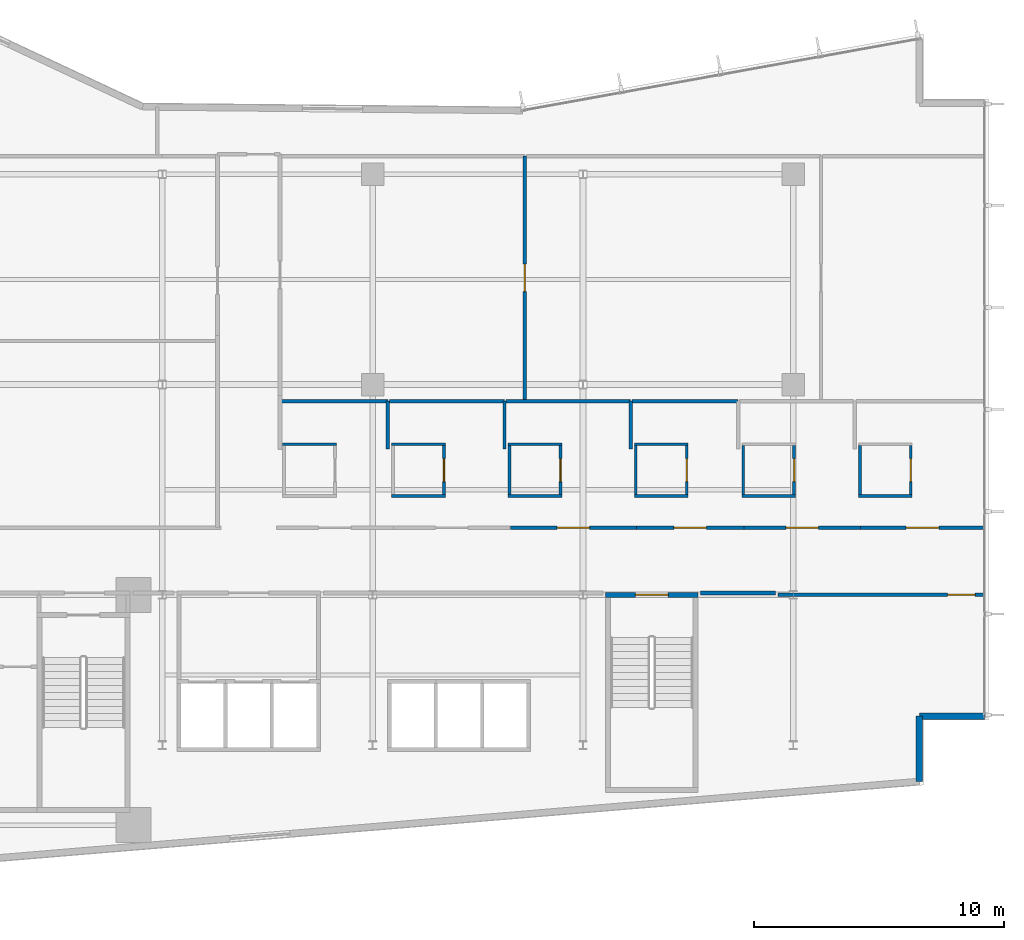
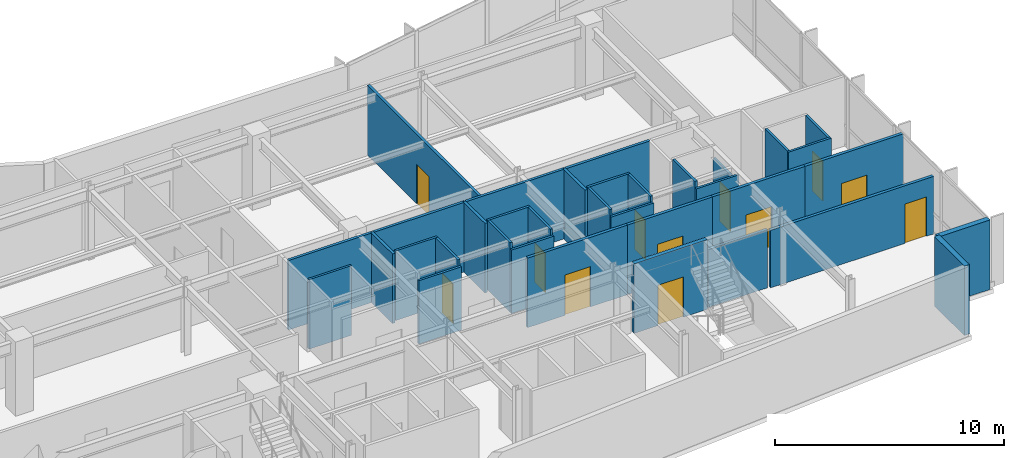
# One storey, part 14 of 20: 35 walls, 12 doors, 12 openings.
"""IFC4 building model written with IfcOpenShell, lengths in metres."""

from ifc_helpers import new_model, si_unit, direction, frame, frame_2d, origin, place, context, subcontext, project, spatial, rectangle, extrude, material, layer, layer_set, type_object, element, fill, save


model = new_model("IFC4")

# Units and contexts
model_context = context("Model", 3, precision=1e-05, world=origin(), true_north=direction((0.0, 1.0)))
body_context = subcontext(model_context, "Body", "Model", "MODEL_VIEW")
ifc_project = project(units=[si_unit("LENGTHUNIT", "METRE"), si_unit("AREAUNIT", "SQUARE_METRE"), si_unit("VOLUMEUNIT", "CUBIC_METRE"), si_unit("PLANEANGLEUNIT", "RADIAN"), si_unit("MASSUNIT", "GRAM", prefix="KILO")], contexts=[model_context])

# Site, building, storey
site_placement = place(None, origin())
site = spatial("IfcSite", under=ifc_project, at=site_placement, CompositionType="ELEMENT")
building_placement = place(site_placement, origin())
building = spatial("IfcBuilding", under=site, at=building_placement, Name="Varnakote Quay Hospital", CompositionType="ELEMENT")
storey_placement = place(building_placement, frame((0.0, 0.0, 81.75)))
storey = spatial("IfcBuildingStorey", under=building, at=storey_placement, Name="L20", CompositionType="ELEMENT", Elevation=81.75)

# Walls
ifc_material_1 = material(Name="Fire-rated acoustic gypsum stud wall", Category="gypsum")
ifc_layer_1 = layer(ifc_material_1, 0.159912109375)
ifc_layer_set_1 = layer_set([ifc_layer_1], Name="Fire-rated acoustic gypsum stud wall")
wall_type_1 = type_object("IfcWallType", Name="WL-COMP-160", PredefinedType="PARTITIONING", material=ifc_layer_set_1)
wall_1_placement = place(storey_placement, frame((46.689208984375, 12.080078125, 0.0), z_axis=(0.0, 0.0, 1.0), x_axis=(1.0, 0.0, 0.0)))
element("IfcWall", 1, at=wall_1_placement, inside=storey, type_object=wall_type_1, Name="L20 Corridor South Gap Wall", PredefinedType="PARTITIONING", context=body_context, shape_type="SweptSolid", body=[
    extrude(rectangle(XDim=3.0107421875, YDim=0.159912109375, at=frame_2d((1.50537109375, 0.0))), origin(), (0.0, 0.0, 1.0), 3.072998046875),
])
ifc_material_2 = material(Name="Moisture-resistant bathroom partition", Category="gypsum")
ifc_layer_2 = layer(ifc_material_2, 0.114990234375)
ifc_layer_set_2 = layer_set([ifc_layer_2], Name="Moisture-resistant bathroom partition")
wall_type_2 = type_object("IfcWallType", Name="WL-ENS-115", PredefinedType="PARTITIONING", material=ifc_layer_set_2)
wall_2_placement = place(storey_placement, frame((30.0048828125, 18.017578125, 0.0), z_axis=(0.0, 0.0, 1.0), x_axis=(1.0, 0.0, 0.0)))
element("IfcWall", 2, at=wall_2_placement, inside=storey, type_object=wall_type_2, Name="L20 Inpatient En-Suite Bathroom 01 N Wall", PredefinedType="PARTITIONING", context=body_context, shape_type="SweptSolid", body=[
    extrude(rectangle(XDim=2.150146484375, YDim=0.114990234375, at=frame_2d((1.0751953125, 0.0))), origin(), (0.0, 0.0, 1.0), 3.7099609375),
])
wall_3_placement = place(storey_placement, frame((34.35498046875, 15.952392578125, 0.0), z_axis=(0.0, 0.0, 1.0), x_axis=(1.0, 0.0, 0.0)))
element("IfcWall", 3, at=wall_3_placement, inside=storey, type_object=wall_type_2, Name="L20 Inpatient En-Suite Bathroom 02 S Wall", PredefinedType="PARTITIONING", context=body_context, shape_type="SweptSolid", body=[
    extrude(rectangle(XDim=2.14990234375, YDim=0.114990234375, at=frame_2d((1.074951171875, 0.0))), origin(), (0.0, 0.0, 1.0), 3.381103515625),
])
wall_4_placement = place(storey_placement, frame((34.35498046875, 18.017578125, 0.0), z_axis=(0.0, 0.0, 1.0), x_axis=(1.0, 0.0, 0.0)))
element("IfcWall", 4, at=wall_4_placement, inside=storey, type_object=wall_type_2, Name="L20 Inpatient En-Suite Bathroom 02 N Wall", PredefinedType="PARTITIONING", context=body_context, shape_type="SweptSolid", body=[
    extrude(rectangle(XDim=2.14990234375, YDim=0.114990234375, at=frame_2d((1.074951171875, 0.0))), origin(), (0.0, 0.0, 1.0), 3.7099609375),
])

# Wall, opening, door
wall_5_placement = place(storey_placement, frame((36.447509765625, 16.010009765625, 0.0), z_axis=(0.0, 0.0, 1.0), x_axis=(0.0, 1.0, 0.0)))
wall_5 = element("IfcWall", 5, at=wall_5_placement, inside=storey, type_object=wall_type_2, Name="L20 Inpatient En-Suite Bathroom 02 E Wall", PredefinedType="PARTITIONING", context=body_context, shape_type="SweptSolid", body=[
    extrude(rectangle(XDim=1.949951171875, YDim=0.114990234375, at=frame_2d((0.97509765625, 0.0))), origin(), (0.0, 0.0, 1.0), 3.7099609375),
])
opening_1_placement = place(wall_5_placement, frame((0.514892578125, 0.0, 0.0)))
opening_1 = element("IfcOpeningElement", 6, at=opening_1_placement, cuts=wall_5, Name="Opening D-L20-ENS02", PredefinedType="OPENING", context=body_context, shape_type="SweptSolid", body=[
    extrude(rectangle(XDim=0.919921875, YDim=2.10009765625, at=frame_2d((0.4599609375, 1.050048828125))), frame((0.0, 0.0673828125, 0.0), z_axis=(0.0, -1.0, 0.0), x_axis=(1.0, 0.0, 0.0)), (0.0, 0.0, 1.0), 0.135009765625),
])
ifc_material_3 = material(Name="Moisture-sealed en-suite bathroom door")
door_type_1 = type_object("IfcDoorType", Name="DR-ENS-920x2100", OperationType="NOTDEFINED", PredefinedType="DOOR", material=ifc_material_3)
door_1_placement = place(opening_1_placement, origin())
door_1 = element("IfcDoor", 7, at=door_1_placement, inside=storey, type_object=door_type_1, Name="L20 Inpatient En-Suite Bathroom 02 Door", OperationType="SINGLE_SWING_RIGHT", OverallHeight=2.10009765625, OverallWidth=0.919921875, PredefinedType="DOOR", context=body_context, shape_type="SweptSolid", body=[
    extrude(rectangle(XDim=0.919921875, YDim=2.10009765625, at=frame_2d((0.4599609375, 1.050048828125))), frame((0.0, 0.02490234375, 0.0), z_axis=(0.0, -1.0, 0.0), x_axis=(1.0, 0.0, 0.0)), (0.0, 0.0, 1.0), 0.050048828125),
])
fill(opening_1, door_1)

# Walls
wall_6_placement = place(storey_placement, frame((39.014892578125, 15.952392578125, 0.0), z_axis=(0.0, 0.0, 1.0), x_axis=(1.0, 0.0, 0.0)))
element("IfcWall", 8, at=wall_6_placement, inside=storey, type_object=wall_type_2, Name="L20 Inpatient En-Suite Bathroom 03 S Wall", PredefinedType="PARTITIONING", context=body_context, shape_type="SweptSolid", body=[
    extrude(rectangle(XDim=2.150146484375, YDim=0.114990234375, at=frame_2d((1.0751953125, 0.0))), origin(), (0.0, 0.0, 1.0), 3.381103515625),
])
wall_7_placement = place(storey_placement, frame((39.014892578125, 18.017578125, 0.0), z_axis=(0.0, 0.0, 1.0), x_axis=(1.0, 0.0, 0.0)))
element("IfcWall", 9, at=wall_7_placement, inside=storey, type_object=wall_type_2, Name="L20 Inpatient En-Suite Bathroom 03 N Wall", PredefinedType="PARTITIONING", context=body_context, shape_type="SweptSolid", body=[
    extrude(rectangle(XDim=2.150146484375, YDim=0.114990234375, at=frame_2d((1.0751953125, 0.0))), origin(), (0.0, 0.0, 1.0), 3.7099609375),
])
wall_8_placement = place(storey_placement, frame((39.072509765625, 16.010009765625, 0.0), z_axis=(0.0, 0.0, 1.0), x_axis=(0.0, 1.0, 0.0)))
element("IfcWall", 10, at=wall_8_placement, inside=storey, type_object=wall_type_2, Name="L20 Inpatient En-Suite Bathroom 03 W Wall", PredefinedType="PARTITIONING", context=body_context, shape_type="SweptSolid", body=[
    extrude(rectangle(XDim=1.949951171875, YDim=0.114990234375, at=frame_2d((0.97509765625, 0.0))), origin(), (0.0, 0.0, 1.0), 3.7099609375),
])

# Wall, opening, door
wall_9_placement = place(storey_placement, frame((41.107421875, 16.010009765625, 0.0), z_axis=(0.0, 0.0, 1.0), x_axis=(0.0, 1.0, 0.0)))
wall_9 = element("IfcWall", 11, at=wall_9_placement, inside=storey, type_object=wall_type_2, Name="L20 Inpatient En-Suite Bathroom 03 E Wall", PredefinedType="PARTITIONING", context=body_context, shape_type="SweptSolid", body=[
    extrude(rectangle(XDim=1.949951171875, YDim=0.114990234375, at=frame_2d((0.97509765625, 0.0))), origin(), (0.0, 0.0, 1.0), 3.7099609375),
])
opening_2_placement = place(wall_9_placement, frame((0.514892578125, 0.0, 0.0)))
opening_2 = element("IfcOpeningElement", 12, at=opening_2_placement, cuts=wall_9, Name="Opening D-L20-ENS03", PredefinedType="OPENING", context=body_context, shape_type="SweptSolid", body=[
    extrude(rectangle(XDim=0.919921875, YDim=2.10009765625, at=frame_2d((0.4599609375, 1.050048828125))), frame((0.0, 0.0673828125, 0.0), z_axis=(0.0, -1.0, 0.0), x_axis=(1.0, 0.0, 0.0)), (0.0, 0.0, 1.0), 0.135009765625),
])
door_2_placement = place(opening_2_placement, origin())
door_2 = element("IfcDoor", 13, at=door_2_placement, inside=storey, type_object=door_type_1, Name="L20 Inpatient En-Suite Bathroom 03 Door", OperationType="SINGLE_SWING_LEFT", OverallHeight=2.10009765625, OverallWidth=0.919921875, PredefinedType="DOOR", context=body_context, shape_type="SweptSolid", body=[
    extrude(rectangle(XDim=0.919921875, YDim=2.10009765625, at=frame_2d((0.4599609375, 1.050048828125))), frame((0.0, 0.02490234375, 0.0), z_axis=(0.0, -1.0, 0.0), x_axis=(1.0, 0.0, 0.0)), (0.0, 0.0, 1.0), 0.050048828125),
])
fill(opening_2, door_2)

# Walls
wall_10_placement = place(storey_placement, frame((44.054931640625, 15.952392578125, 0.0), z_axis=(0.0, 0.0, 1.0), x_axis=(1.0, 0.0, 0.0)))
element("IfcWall", 14, at=wall_10_placement, inside=storey, type_object=wall_type_2, Name="L20 Inpatient En-Suite Bathroom 04 S Wall", PredefinedType="PARTITIONING", context=body_context, shape_type="SweptSolid", body=[
    extrude(rectangle(XDim=2.150146484375, YDim=0.114990234375, at=frame_2d((1.0751953125, 0.0))), origin(), (0.0, 0.0, 1.0), 3.381103515625),
])
wall_11_placement = place(storey_placement, frame((44.054931640625, 18.017578125, 0.0), z_axis=(0.0, 0.0, 1.0), x_axis=(1.0, 0.0, 0.0)))
element("IfcWall", 15, at=wall_11_placement, inside=storey, type_object=wall_type_2, Name="L20 Inpatient En-Suite Bathroom 04 N Wall", PredefinedType="PARTITIONING", context=body_context, shape_type="SweptSolid", body=[
    extrude(rectangle(XDim=2.150146484375, YDim=0.114990234375, at=frame_2d((1.0751953125, 0.0))), origin(), (0.0, 0.0, 1.0), 3.7099609375),
])
wall_12_placement = place(storey_placement, frame((44.112548828125, 16.010009765625, 0.0), z_axis=(0.0, 0.0, 1.0), x_axis=(0.0, 1.0, 0.0)))
element("IfcWall", 16, at=wall_12_placement, inside=storey, type_object=wall_type_2, Name="L20 Inpatient En-Suite Bathroom 04 W Wall", PredefinedType="PARTITIONING", context=body_context, shape_type="SweptSolid", body=[
    extrude(rectangle(XDim=1.949951171875, YDim=0.114990234375, at=frame_2d((0.97509765625, 0.0))), origin(), (0.0, 0.0, 1.0), 3.7099609375),
])

# Wall, opening, door
wall_13_placement = place(storey_placement, frame((46.1474609375, 16.010009765625, 0.0), z_axis=(0.0, 0.0, 1.0), x_axis=(0.0, 1.0, 0.0)))
wall_13 = element("IfcWall", 17, at=wall_13_placement, inside=storey, type_object=wall_type_2, Name="L20 Inpatient En-Suite Bathroom 04 E Wall", PredefinedType="PARTITIONING", context=body_context, shape_type="SweptSolid", body=[
    extrude(rectangle(XDim=1.949951171875, YDim=0.114990234375, at=frame_2d((0.97509765625, 0.0))), origin(), (0.0, 0.0, 1.0), 3.7099609375),
])
opening_3_placement = place(wall_13_placement, frame((0.514892578125, 0.0, 0.0)))
opening_3 = element("IfcOpeningElement", 18, at=opening_3_placement, cuts=wall_13, Name="Opening D-L20-ENS04", PredefinedType="OPENING", context=body_context, shape_type="SweptSolid", body=[
    extrude(rectangle(XDim=0.919921875, YDim=2.10009765625, at=frame_2d((0.4599609375, 1.050048828125))), frame((0.0, 0.0673828125, 0.0), z_axis=(0.0, -1.0, 0.0), x_axis=(1.0, 0.0, 0.0)), (0.0, 0.0, 1.0), 0.135009765625),
])
door_3_placement = place(opening_3_placement, origin())
door_3 = element("IfcDoor", 19, at=door_3_placement, inside=storey, type_object=door_type_1, Name="L20 Inpatient En-Suite Bathroom 04 Door", OperationType="SINGLE_SWING_RIGHT", OverallHeight=2.10009765625, OverallWidth=0.919921875, PredefinedType="DOOR", context=body_context, shape_type="SweptSolid", body=[
    extrude(rectangle(XDim=0.919921875, YDim=2.10009765625, at=frame_2d((0.4599609375, 1.050048828125))), frame((0.0, 0.02490234375, 0.0), z_axis=(0.0, -1.0, 0.0), x_axis=(1.0, 0.0, 0.0)), (0.0, 0.0, 1.0), 0.050048828125),
])
fill(opening_3, door_3)

# Walls
wall_14_placement = place(storey_placement, frame((48.344970703125, 15.952392578125, 0.0), z_axis=(0.0, 0.0, 1.0), x_axis=(1.0, 0.0, 0.0)))
element("IfcWall", 20, at=wall_14_placement, inside=storey, type_object=wall_type_2, Name="L20 Inpatient En-Suite Bathroom 05 S Wall", PredefinedType="PARTITIONING", context=body_context, shape_type="SweptSolid", body=[
    extrude(rectangle(XDim=2.150146484375, YDim=0.114990234375, at=frame_2d((1.0751953125, 0.0))), origin(), (0.0, 0.0, 1.0), 3.381103515625),
])
wall_15_placement = place(storey_placement, frame((48.402587890625, 16.010009765625, 0.0), z_axis=(0.0, 0.0, 1.0), x_axis=(0.0, 1.0, 0.0)))
element("IfcWall", 21, at=wall_15_placement, inside=storey, type_object=wall_type_2, Name="L20 Inpatient En-Suite Bathroom 05 W Wall", PredefinedType="PARTITIONING", context=body_context, shape_type="SweptSolid", body=[
    extrude(rectangle(XDim=1.949951171875, YDim=0.114990234375, at=frame_2d((0.97509765625, 0.0))), origin(), (0.0, 0.0, 1.0), 3.7099609375),
])

# Wall, opening, door
wall_16_placement = place(storey_placement, frame((50.4375, 16.010009765625, 0.0), z_axis=(0.0, 0.0, 1.0), x_axis=(0.0, 1.0, 0.0)))
wall_16 = element("IfcWall", 22, at=wall_16_placement, inside=storey, type_object=wall_type_2, Name="L20 Inpatient En-Suite Bathroom 05 E Wall", PredefinedType="PARTITIONING", context=body_context, shape_type="SweptSolid", body=[
    extrude(rectangle(XDim=1.949951171875, YDim=0.114990234375, at=frame_2d((0.97509765625, 0.0))), origin(), (0.0, 0.0, 1.0), 3.072998046875),
])
opening_4_placement = place(wall_16_placement, frame((0.514892578125, 0.0, 0.0)))
opening_4 = element("IfcOpeningElement", 23, at=opening_4_placement, cuts=wall_16, Name="Opening D-L20-ENS05", PredefinedType="OPENING", context=body_context, shape_type="SweptSolid", body=[
    extrude(rectangle(XDim=0.919921875, YDim=2.10009765625, at=frame_2d((0.4599609375, 1.050048828125))), frame((0.0, 0.0673828125, 0.0), z_axis=(0.0, -1.0, 0.0), x_axis=(1.0, 0.0, 0.0)), (0.0, 0.0, 1.0), 0.135009765625),
])
door_4_placement = place(opening_4_placement, origin())
door_4 = element("IfcDoor", 24, at=door_4_placement, inside=storey, type_object=door_type_1, Name="L20 Inpatient En-Suite Bathroom 05 Door", OperationType="SINGLE_SWING_LEFT", OverallHeight=2.10009765625, OverallWidth=0.919921875, PredefinedType="DOOR", context=body_context, shape_type="SweptSolid", body=[
    extrude(rectangle(XDim=0.919921875, YDim=2.10009765625, at=frame_2d((0.4599609375, 1.050048828125))), frame((0.0, 0.02490234375, 0.0), z_axis=(0.0, -1.0, 0.0), x_axis=(1.0, 0.0, 0.0)), (0.0, 0.0, 1.0), 0.050048828125),
])
fill(opening_4, door_4)

# Walls
wall_17_placement = place(storey_placement, frame((53.0048828125, 15.952392578125, 0.0), z_axis=(0.0, 0.0, 1.0), x_axis=(1.0, 0.0, 0.0)))
element("IfcWall", 25, at=wall_17_placement, inside=storey, type_object=wall_type_2, Name="L20 Inpatient En-Suite Bathroom 06 S Wall", PredefinedType="PARTITIONING", context=body_context, shape_type="SweptSolid", body=[
    extrude(rectangle(XDim=2.150146484375, YDim=0.114990234375, at=frame_2d((1.0751953125, 0.0))), origin(), (0.0, 0.0, 1.0), 3.7099609375),
])
wall_18_placement = place(storey_placement, frame((53.0625, 16.010009765625, 0.0), z_axis=(0.0, 0.0, 1.0), x_axis=(0.0, 1.0, 0.0)))
element("IfcWall", 26, at=wall_18_placement, inside=storey, type_object=wall_type_2, Name="L20 Inpatient En-Suite Bathroom 06 W Wall", PredefinedType="PARTITIONING", context=body_context, shape_type="SweptSolid", body=[
    extrude(rectangle(XDim=1.949951171875, YDim=0.114990234375, at=frame_2d((0.97509765625, 0.0))), origin(), (0.0, 0.0, 1.0), 3.7099609375),
])

# Wall, opening, door
wall_19_placement = place(storey_placement, frame((55.097412109375, 16.010009765625, 0.0), z_axis=(0.0, 0.0, 1.0), x_axis=(0.0, 1.0, 0.0)))
wall_19 = element("IfcWall", 27, at=wall_19_placement, inside=storey, type_object=wall_type_2, Name="L20 Inpatient En-Suite Bathroom 06 E Wall", PredefinedType="PARTITIONING", context=body_context, shape_type="SweptSolid", body=[
    extrude(rectangle(XDim=1.949951171875, YDim=0.114990234375, at=frame_2d((0.97509765625, 0.0))), origin(), (0.0, 0.0, 1.0), 3.7099609375),
])
opening_5_placement = place(wall_19_placement, frame((0.514892578125, 0.0, 0.0)))
opening_5 = element("IfcOpeningElement", 28, at=opening_5_placement, cuts=wall_19, Name="Opening D-L20-ENS06", PredefinedType="OPENING", context=body_context, shape_type="SweptSolid", body=[
    extrude(rectangle(XDim=0.919921875, YDim=2.10009765625, at=frame_2d((0.4599609375, 1.050048828125))), frame((0.0, 0.0673828125, 0.0), z_axis=(0.0, -1.0, 0.0), x_axis=(1.0, 0.0, 0.0)), (0.0, 0.0, 1.0), 0.135009765625),
])
door_5_placement = place(opening_5_placement, origin())
door_5 = element("IfcDoor", 29, at=door_5_placement, inside=storey, type_object=door_type_1, Name="L20 Inpatient En-Suite Bathroom 06 Door", OperationType="SINGLE_SWING_RIGHT", OverallHeight=2.10009765625, OverallWidth=0.919921875, PredefinedType="DOOR", context=body_context, shape_type="SweptSolid", body=[
    extrude(rectangle(XDim=0.919921875, YDim=2.10009765625, at=frame_2d((0.4599609375, 1.050048828125))), frame((0.0, 0.02490234375, 0.0), z_axis=(0.0, -1.0, 0.0), x_axis=(1.0, 0.0, 0.0)), (0.0, 0.0, 1.0), 0.050048828125),
])
fill(opening_5, door_5)

# Walls
ifc_material_4 = material(Name="Precast concrete N50 (f'c 50 MPa)", Category="concrete")
ifc_layer_3 = layer(ifc_material_4, 0.260009765625)
ifc_layer_set_3 = layer_set([ifc_layer_3], Name="Precast concrete N50 (f'c 50 MPa)")
wall_type_3 = type_object("IfcWallType", Name="WL-EXT-BRICK-260", PredefinedType="STANDARD", material=ifc_layer_set_3)
wall_20_placement = place(storey_placement, frame((55.43994140625, 4.54736328125, 0.0), z_axis=(0.0, 0.0, 1.0), x_axis=(0.0, 1.0, 0.0)))
element("IfcWall", 30, at=wall_20_placement, inside=storey, type_object=wall_type_3, Name="L20 Brick-Faced Precast Exterior Wall", PredefinedType="STANDARD", context=body_context, shape_type="SweptSolid", body=[
    extrude(rectangle(XDim=2.612548828125, YDim=0.260009765625, at=frame_2d((1.30615234375, 0.0))), origin(), (0.0, 0.0, 1.0), 3.7099609375),
])
wall_21_placement = place(storey_placement, frame((55.43994140625, 7.159912109375, 0.0), z_axis=(0.0, 0.0, 1.0), x_axis=(1.0, 0.0, 0.0)))
element("IfcWall", 31, at=wall_21_placement, inside=storey, type_object=wall_type_3, Name="L20 Brick-Faced Precast Exterior Wall", PredefinedType="STANDARD", context=body_context, shape_type="SweptSolid", body=[
    extrude(rectangle(XDim=2.60009765625, YDim=0.260009765625, at=frame_2d((1.300048828125, 0.0))), origin(), (0.0, 0.0, 1.0), 3.7099609375),
])

# Wall, opening, door
ifc_material_5 = material(Name="Concrete N50 (f'c 50 MPa)", Category="concrete")
ifc_layer_4 = layer(ifc_material_5, 0.199951171875)
ifc_layer_set_4 = layer_set([ifc_layer_4], Name="Concrete N50 (f'c 50 MPa)")
wall_type_4 = type_object("IfcWallType", Name="WL-SHAFT-N50-200", PredefinedType="SHEAR", material=ifc_layer_set_4)
wall_22_placement = place(storey_placement, frame((42.89990234375, 12.0, 0.0), z_axis=(0.0, 0.0, 1.0), x_axis=(1.0, 0.0, 0.0)))
wall_22 = element("IfcWall", 32, at=wall_22_placement, inside=storey, type_object=wall_type_4, Name="L20 Stair ST3 Exit Wall", PredefinedType="SHEAR", context=body_context, shape_type="SweptSolid", body=[
    extrude(rectangle(XDim=3.7001953125, YDim=0.199951171875, at=frame_2d((1.85009765625, 0.0))), origin(), (0.0, 0.0, 1.0), 3.7099609375),
])
opening_6_placement = place(wall_22_placement, frame((1.199951171875, 0.0, 0.0)))
opening_6 = element("IfcOpeningElement", 33, at=opening_6_placement, cuts=wall_22, Name="Opening D-ST3-L20", PredefinedType="OPENING", context=body_context, shape_type="SweptSolid", body=[
    extrude(rectangle(XDim=1.300048828125, YDim=2.14990234375, at=frame_2d((0.64990234375, 1.074951171875))), frame((0.0, 0.10986328125, 0.0), z_axis=(0.0, -1.0, 0.0), x_axis=(1.0, 0.0, 0.0)), (0.0, 0.0, 1.0), 0.219970703125),
])
ifc_material_6 = material(Name="Fire-rated ceramic-glazed timber exit door", Category="wood")
door_type_2 = type_object("IfcDoorType", Name="DR-STAIR-FD60S-1300x2150", OperationType="NOTDEFINED", PredefinedType="DOOR", material=ifc_material_6)
door_6_placement = place(opening_6_placement, origin())
door_6 = element("IfcDoor", 34, at=door_6_placement, inside=storey, type_object=door_type_2, Name="L20 Stair ST3 Fire Exit Door", OperationType="SINGLE_SWING_RIGHT", OverallHeight=2.14990234375, OverallWidth=1.300048828125, PredefinedType="DOOR", context=body_context, shape_type="SweptSolid", body=[
    extrude(rectangle(XDim=1.300048828125, YDim=2.14990234375, at=frame_2d((0.64990234375, 1.074951171875))), frame((0.0, 0.02490234375, 0.0), z_axis=(0.0, -1.0, 0.0), x_axis=(1.0, 0.0, 0.0)), (0.0, 0.0, 1.0), 0.050048828125),
])
fill(opening_6, door_6)

# Walls
ifc_material_7 = material(Name="Smoke-proof clinical partition", Category="gypsum")
ifc_layer_5 = layer(ifc_material_7, 0.135009765625)
ifc_layer_set_5 = layer_set([ifc_layer_5], Name="Smoke-proof clinical partition")
wall_type_5 = type_object("IfcWallType", Name="WL-SMOKE-135", PredefinedType="PARTITIONING", material=ifc_layer_set_5)
wall_23_placement = place(storey_placement, frame((34.2099609375, 17.83251953125, 0.0), z_axis=(0.0, 0.0, 1.0), x_axis=(0.0, 1.0, 0.0)))
element("IfcWall", 35, at=wall_23_placement, inside=storey, type_object=wall_type_5, Name="L20 Clinical Interior Partition", PredefinedType="PARTITIONING", context=body_context, shape_type="SweptSolid", body=[
    extrude(rectangle(XDim=1.907470703125, YDim=0.135009765625, at=frame_2d((0.95361328125, 0.0))), origin(), (0.0, 0.0, 1.0), 3.7099609375),
])
wall_24_placement = place(storey_placement, frame((34.2099609375, 19.739990234375, 0.0), z_axis=(0.0, 0.0, 1.0), x_axis=(-1.0, 0.0, 0.0)))
element("IfcWall", 36, at=wall_24_placement, inside=storey, type_object=wall_type_5, Name="L20 Clinical Interior Partition", PredefinedType="PARTITIONING", context=body_context, shape_type="SweptSolid", body=[
    extrude(rectangle(XDim=4.244873046875, YDim=0.135009765625, at=frame_2d((2.12255859375, 0.0))), origin(), (0.0, 0.0, 1.0), 3.7099609375),
])
wall_25_placement = place(storey_placement, frame((38.8701171875, 17.83251953125, 0.0), z_axis=(0.0, 0.0, 1.0), x_axis=(0.0, 1.0, 0.0)))
element("IfcWall", 37, at=wall_25_placement, inside=storey, type_object=wall_type_5, Name="L20 Clinical Interior Partition", PredefinedType="PARTITIONING", context=body_context, shape_type="SweptSolid", body=[
    extrude(rectangle(XDim=1.907470703125, YDim=0.135009765625, at=frame_2d((0.95361328125, 0.0))), origin(), (0.0, 0.0, 1.0), 3.7099609375),
])
wall_26_placement = place(storey_placement, frame((38.8701171875, 19.739990234375, 0.0), z_axis=(0.0, 0.0, 1.0), x_axis=(-1.0, 0.0, 0.0)))
element("IfcWall", 38, at=wall_26_placement, inside=storey, type_object=wall_type_5, Name="L20 Clinical Interior Partition", PredefinedType="PARTITIONING", context=body_context, shape_type="SweptSolid", body=[
    extrude(rectangle(XDim=4.6025390625, YDim=0.135009765625, at=frame_2d((2.30126953125, 0.0))), origin(), (0.0, 0.0, 1.0), 3.7099609375),
])
wall_27_placement = place(storey_placement, frame((43.909912109375, 17.83251953125, 0.0), z_axis=(0.0, 0.0, 1.0), x_axis=(0.0, 1.0, 0.0)))
element("IfcWall", 39, at=wall_27_placement, inside=storey, type_object=wall_type_5, Name="L20 Clinical Interior Partition", PredefinedType="PARTITIONING", context=body_context, shape_type="SweptSolid", body=[
    extrude(rectangle(XDim=1.907470703125, YDim=0.135009765625, at=frame_2d((0.95361328125, 0.0))), origin(), (0.0, 0.0, 1.0), 3.7099609375),
])
wall_28_placement = place(storey_placement, frame((43.909912109375, 19.739990234375, 0.0), z_axis=(0.0, 0.0, 1.0), x_axis=(-1.0, 0.0, 0.0)))
element("IfcWall", 40, at=wall_28_placement, inside=storey, type_object=wall_type_5, Name="L20 Clinical Interior Partition", PredefinedType="PARTITIONING", context=body_context, shape_type="SweptSolid", body=[
    extrude(rectangle(XDim=4.982421875, YDim=0.135009765625, at=frame_2d((2.4912109375, 0.0))), origin(), (0.0, 0.0, 1.0), 3.7099609375),
])
wall_29_placement = place(storey_placement, frame((48.199951171875, 19.739990234375, 0.0), z_axis=(0.0, 0.0, 1.0), x_axis=(-1.0, 0.0, 0.0)))
element("IfcWall", 41, at=wall_29_placement, inside=storey, type_object=wall_type_5, Name="L20 Clinical Interior Partition", PredefinedType="PARTITIONING", context=body_context, shape_type="SweptSolid", body=[
    extrude(rectangle(XDim=4.232421875, YDim=0.135009765625, at=frame_2d((2.1162109375, 0.0))), origin(), (0.0, 0.0, 1.0), 3.7099609375),
])

# Wall, opening, door
wall_30_placement = place(storey_placement, frame((39.679931640625, 19.797607421875, 0.0), z_axis=(0.0, 0.0, 1.0), x_axis=(0.0, 1.0, 0.0)))
wall_30 = element("IfcWall", 42, at=wall_30_placement, inside=storey, type_object=wall_type_5, Name="L20 Clinical Interior Partition", PredefinedType="PARTITIONING", context=body_context, shape_type="SweptSolid", body=[
    extrude(rectangle(XDim=9.722412109375, YDim=0.135009765625, at=frame_2d((4.861328125, 0.0))), origin(), (0.0, 0.0, 1.0), 3.7099609375),
])
opening_7_placement = place(wall_30_placement, frame((4.311279296875, 0.0, 0.0)))
opening_7 = element("IfcOpeningElement", 43, at=opening_7_placement, cuts=wall_30, Name="Opening D-L20-MD04", PredefinedType="OPENING", context=body_context, shape_type="SweptSolid", body=[
    extrude(rectangle(XDim=1.10009765625, YDim=2.10009765625, at=frame_2d((0.550048828125, 1.050048828125))), frame((0.0, 0.077392578125, 0.0), z_axis=(0.0, -1.0, 0.0), x_axis=(1.0, 0.0, 0.0)), (0.0, 0.0, 1.0), 0.155029296875),
])
ifc_material_8 = material(Name="Acoustic timber clinical consult door", Category="wood")
door_type_3 = type_object("IfcDoorType", Name="DR-CLIN-FD30S-1100x2100", OperationType="NOTDEFINED", PredefinedType="DOOR", material=ifc_material_8)
door_7_placement = place(opening_7_placement, origin())
door_7 = element("IfcDoor", 44, at=door_7_placement, inside=storey, type_object=door_type_3, Name="L20 Allied Therapy Meeting Room Door", OperationType="SINGLE_SWING_LEFT", OverallHeight=2.10009765625, OverallWidth=1.10009765625, PredefinedType="DOOR", context=body_context, shape_type="SweptSolid", body=[
    extrude(rectangle(XDim=1.10009765625, YDim=2.10009765625, at=frame_2d((0.550048828125, 1.050048828125))), frame((0.0, 0.02490234375, 0.0), z_axis=(0.0, -1.0, 0.0), x_axis=(1.0, 0.0, 0.0)), (0.0, 0.0, 1.0), 0.050048828125),
])
fill(opening_7, door_7)

ifc_material_9 = material(Name="Fire-rated clinical gypsum partition", Category="gypsum")
ifc_layer_6 = layer(ifc_material_9, 0.14990234375)
ifc_layer_set_6 = layer_set([ifc_layer_6], Name="Fire-rated clinical gypsum partition")
wall_type_6 = type_object("IfcWallType", Name="WL-WARD-150", PredefinedType="PARTITIONING", material=ifc_layer_set_6)
wall_31_placement = place(storey_placement, frame((58.0400390625, 12.0, 0.0), z_axis=(0.0, 0.0, 1.0), x_axis=(-1.0, 0.0, 0.0)))
wall_31 = element("IfcWall", 45, at=wall_31_placement, inside=storey, type_object=wall_type_6, Name="L20 Clinical Interior Partition", PredefinedType="PARTITIONING", context=body_context, shape_type="SweptSolid", body=[
    extrude(rectangle(XDim=8.239990234375, YDim=0.14990234375, at=frame_2d((4.1201171875, 0.0))), origin(), (0.0, 0.0, 1.0), 3.072998046875),
])
opening_8_placement = place(wall_31_placement, frame((0.368408203125, 0.0, 0.0)))
opening_8 = element("IfcOpeningElement", 46, at=opening_8_placement, cuts=wall_31, Name="Opening D-L20-SE1", PredefinedType="OPENING", context=body_context, shape_type="SweptSolid", body=[
    extrude(rectangle(XDim=1.10009765625, YDim=2.10009765625, at=frame_2d((0.550048828125, 1.050048828125))), frame((0.0, 0.0849609375, 0.0), z_axis=(0.0, -1.0, 0.0), x_axis=(1.0, 0.0, 0.0)), (0.0, 0.0, 1.0), 0.169921875),
])
door_8_placement = place(opening_8_placement, origin())
door_8 = element("IfcDoor", 47, at=door_8_placement, inside=storey, type_object=door_type_3, Name="L20 Clinical Biomedical Engineering Office Door", OperationType="SINGLE_SWING_LEFT", OverallHeight=2.10009765625, OverallWidth=1.10009765625, PredefinedType="DOOR", context=body_context, shape_type="SweptSolid", body=[
    extrude(rectangle(XDim=1.10009765625, YDim=2.10009765625, at=frame_2d((0.550048828125, 1.050048828125))), frame((0.0, 0.02490234375, 0.0), z_axis=(0.0, -1.0, 0.0), x_axis=(1.0, 0.0, 0.0)), (0.0, 0.0, 1.0), 0.050048828125),
])
fill(opening_8, door_8)

wall_32_placement = place(storey_placement, frame((44.135986328125, 14.679931640625, 0.0), z_axis=(0.0, 0.0, 1.0), x_axis=(-1.0, 0.0, 0.0)))
wall_32 = element("IfcWall", 48, at=wall_32_placement, inside=storey, type_object=wall_type_6, Name="L20 Clinical Interior Partition", PredefinedType="PARTITIONING", context=body_context, shape_type="SweptSolid", body=[
    extrude(rectangle(XDim=5.0380859375, YDim=0.14990234375, at=frame_2d((2.51904296875, 0.0))), origin(), (0.0, 0.0, 1.0), 3.7099609375),
])
opening_9_placement = place(wall_32_placement, frame((1.868896484375, 0.0, 0.0)))
opening_9 = element("IfcOpeningElement", 49, at=opening_9_placement, cuts=wall_32, Name="Opening D-L20-BR03", PredefinedType="OPENING", context=body_context, shape_type="SweptSolid", body=[
    extrude(rectangle(XDim=1.300048828125, YDim=2.14990234375, at=frame_2d((0.64990234375, 1.074951171875))), frame((0.0, 0.0849609375, 0.0), z_axis=(0.0, -1.0, 0.0), x_axis=(1.0, 0.0, 0.0)), (0.0, 0.0, 1.0), 0.169921875),
])
ifc_material_10 = material(Name="Solid-core timber clinical bed door", Category="wood")
door_type_4 = type_object("IfcDoorType", Name="DR-WARD-FD30S-1300x2150", OperationType="NOTDEFINED", PredefinedType="DOOR", material=ifc_material_10)
door_9_placement = place(opening_9_placement, origin())
door_9 = element("IfcDoor", 50, at=door_9_placement, inside=storey, type_object=door_type_4, Name="L20 Resident Care Bedroom 03 Door", OperationType="SINGLE_SWING_LEFT", OverallHeight=2.14990234375, OverallWidth=1.300048828125, PredefinedType="DOOR", context=body_context, shape_type="SweptSolid", body=[
    extrude(rectangle(XDim=1.300048828125, YDim=2.14990234375, at=frame_2d((0.64990234375, 1.074951171875))), frame((0.0, 0.02490234375, 0.0), z_axis=(0.0, -1.0, 0.0), x_axis=(1.0, 0.0, 0.0)), (0.0, 0.0, 1.0), 0.050048828125),
])
fill(opening_9, door_9)

wall_33_placement = place(storey_placement, frame((48.426025390625, 14.679931640625, 0.0), z_axis=(0.0, 0.0, 1.0), x_axis=(-1.0, 0.0, 0.0)))
wall_33 = element("IfcWall", 51, at=wall_33_placement, inside=storey, type_object=wall_type_6, Name="L20 Clinical Interior Partition", PredefinedType="PARTITIONING", context=body_context, shape_type="SweptSolid", body=[
    extrude(rectangle(XDim=4.2880859375, YDim=0.14990234375, at=frame_2d((2.14404296875, 0.0))), origin(), (0.0, 0.0, 1.0), 3.7099609375),
])
opening_10_placement = place(wall_33_placement, frame((1.493896484375, 0.0, 0.0)))
opening_10 = element("IfcOpeningElement", 52, at=opening_10_placement, cuts=wall_33, Name="Opening D-L20-BR04", PredefinedType="OPENING", context=body_context, shape_type="SweptSolid", body=[
    extrude(rectangle(XDim=1.300048828125, YDim=2.14990234375, at=frame_2d((0.64990234375, 1.074951171875))), frame((0.0, 0.0849609375, 0.0), z_axis=(0.0, -1.0, 0.0), x_axis=(1.0, 0.0, 0.0)), (0.0, 0.0, 1.0), 0.169921875),
])
door_10_placement = place(opening_10_placement, origin())
door_10 = element("IfcDoor", 53, at=door_10_placement, inside=storey, type_object=door_type_4, Name="L20 Resident Care Bedroom 04 Door", OperationType="SINGLE_SWING_RIGHT", OverallHeight=2.14990234375, OverallWidth=1.300048828125, PredefinedType="DOOR", context=body_context, shape_type="SweptSolid", body=[
    extrude(rectangle(XDim=1.300048828125, YDim=2.14990234375, at=frame_2d((0.64990234375, 1.074951171875))), frame((0.0, 0.02490234375, 0.0), z_axis=(0.0, -1.0, 0.0), x_axis=(1.0, 0.0, 0.0)), (0.0, 0.0, 1.0), 0.050048828125),
])
fill(opening_10, door_10)

wall_34_placement = place(storey_placement, frame((53.0859375, 14.679931640625, 0.0), z_axis=(0.0, 0.0, 1.0), x_axis=(-1.0, 0.0, 0.0)))
wall_34 = element("IfcWall", 54, at=wall_34_placement, inside=storey, type_object=wall_type_6, Name="L20 Clinical Interior Partition", PredefinedType="PARTITIONING", context=body_context, shape_type="SweptSolid", body=[
    extrude(rectangle(XDim=4.657958984375, YDim=0.14990234375, at=frame_2d((2.3291015625, 0.0))), origin(), (0.0, 0.0, 1.0), 3.7099609375),
])
opening_11_placement = place(wall_34_placement, frame((1.678955078125, 0.0, 0.0)))
opening_11 = element("IfcOpeningElement", 55, at=opening_11_placement, cuts=wall_34, Name="Opening D-L20-BR05", PredefinedType="OPENING", context=body_context, shape_type="SweptSolid", body=[
    extrude(rectangle(XDim=1.300048828125, YDim=2.14990234375, at=frame_2d((0.64990234375, 1.074951171875))), frame((0.0, 0.0849609375, 0.0), z_axis=(0.0, -1.0, 0.0), x_axis=(1.0, 0.0, 0.0)), (0.0, 0.0, 1.0), 0.169921875),
])
door_11_placement = place(opening_11_placement, origin())
door_11 = element("IfcDoor", 56, at=door_11_placement, inside=storey, type_object=door_type_4, Name="L20 Resident Care Bedroom 05 Door", OperationType="SINGLE_SWING_LEFT", OverallHeight=2.14990234375, OverallWidth=1.300048828125, PredefinedType="DOOR", context=body_context, shape_type="SweptSolid", body=[
    extrude(rectangle(XDim=1.300048828125, YDim=2.14990234375, at=frame_2d((0.64990234375, 1.074951171875))), frame((0.0, 0.02490234375, 0.0), z_axis=(0.0, -1.0, 0.0), x_axis=(1.0, 0.0, 0.0)), (0.0, 0.0, 1.0), 0.050048828125),
])
fill(opening_11, door_11)

wall_35_placement = place(storey_placement, frame((58.0400390625, 14.679931640625, 0.0), z_axis=(0.0, 0.0, 1.0), x_axis=(-1.0, 0.0, 0.0)))
wall_35 = element("IfcWall", 57, at=wall_35_placement, inside=storey, type_object=wall_type_6, Name="L20 Clinical Interior Partition", PredefinedType="PARTITIONING", context=body_context, shape_type="SweptSolid", body=[
    extrude(rectangle(XDim=4.9521484375, YDim=0.14990234375, at=frame_2d((2.47607421875, 0.0))), origin(), (0.0, 0.0, 1.0), 3.7099609375),
])
opening_12_placement = place(wall_35_placement, frame((1.825927734375, 0.0, 0.0)))
opening_12 = element("IfcOpeningElement", 58, at=opening_12_placement, cuts=wall_35, Name="Opening D-L20-BR06", PredefinedType="OPENING", context=body_context, shape_type="SweptSolid", body=[
    extrude(rectangle(XDim=1.300048828125, YDim=2.14990234375, at=frame_2d((0.64990234375, 1.074951171875))), frame((0.0, 0.0849609375, 0.0), z_axis=(0.0, -1.0, 0.0), x_axis=(1.0, 0.0, 0.0)), (0.0, 0.0, 1.0), 0.169921875),
])
door_12_placement = place(opening_12_placement, origin())
door_12 = element("IfcDoor", 59, at=door_12_placement, inside=storey, type_object=door_type_4, Name="L20 Resident Care Bedroom 06 Door", OperationType="SINGLE_SWING_RIGHT", OverallHeight=2.14990234375, OverallWidth=1.300048828125, PredefinedType="DOOR", context=body_context, shape_type="SweptSolid", body=[
    extrude(rectangle(XDim=1.300048828125, YDim=2.14990234375, at=frame_2d((0.64990234375, 1.074951171875))), frame((0.0, 0.02490234375, 0.0), z_axis=(0.0, -1.0, 0.0), x_axis=(1.0, 0.0, 0.0)), (0.0, 0.0, 1.0), 0.050048828125),
])
fill(opening_12, door_12)

save(model, "model.ifc")
